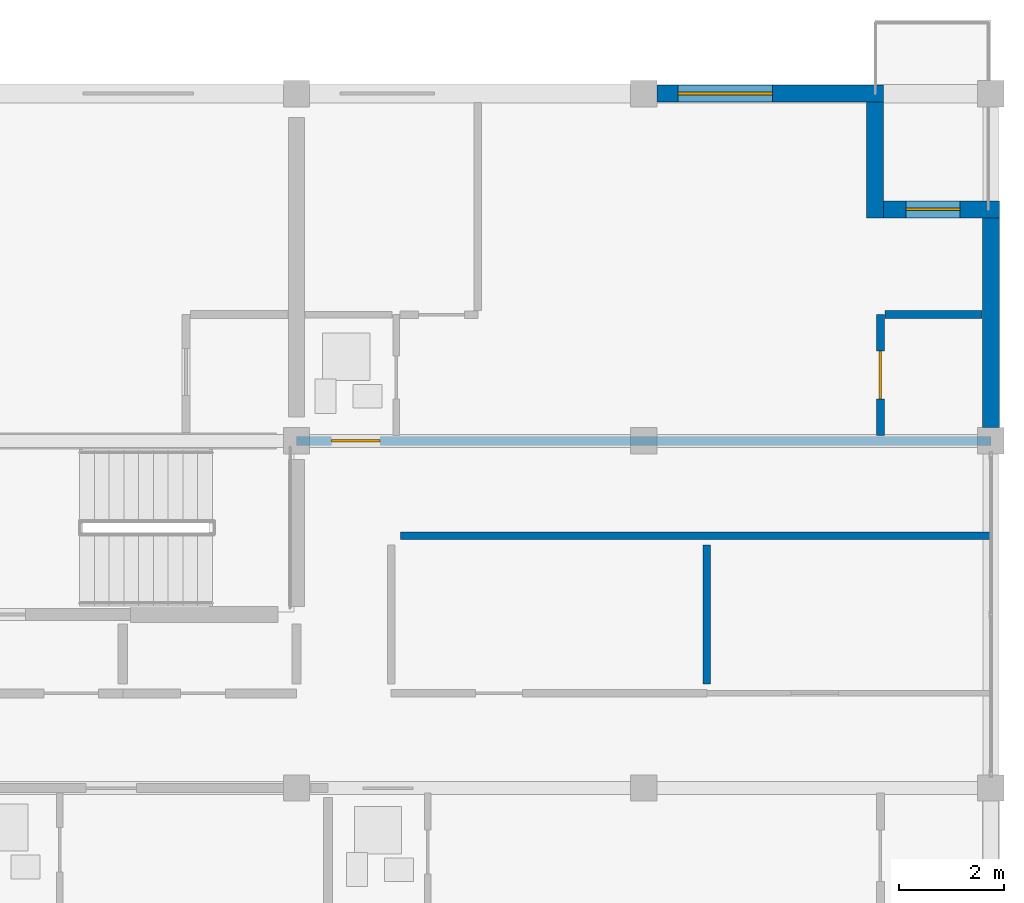
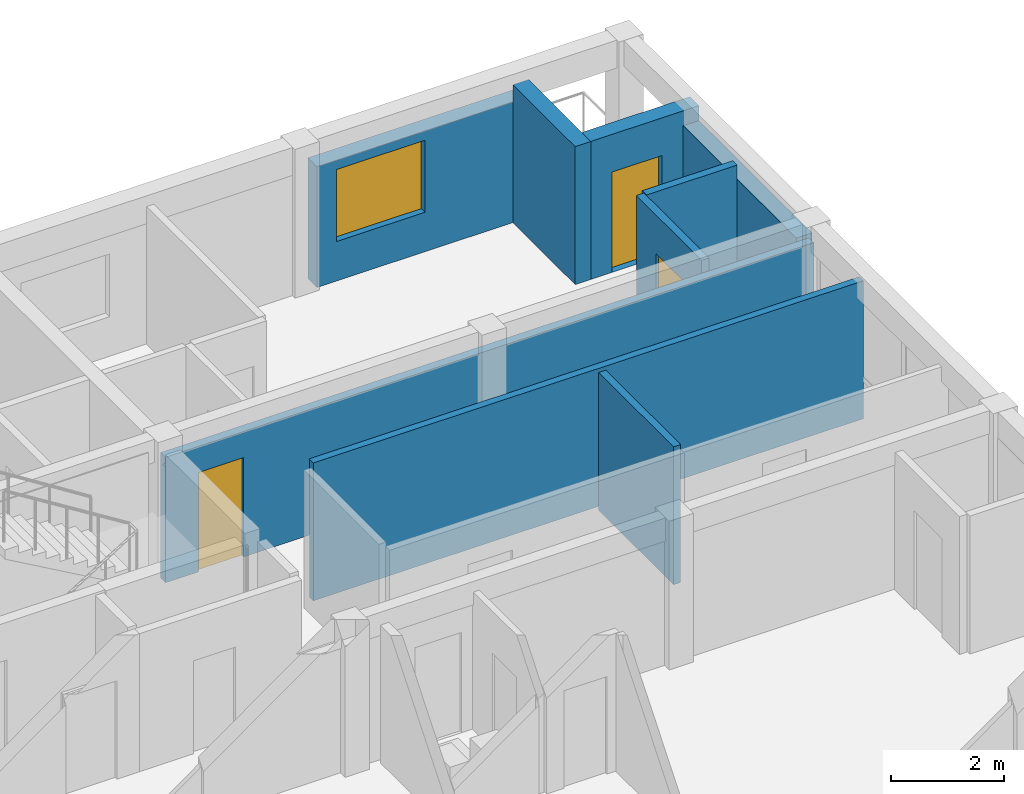
# One storey, part 41 of 53: 9 walls, 3 doors, 1 window, 4 openings.
"""IFC4 building model written with IfcOpenShell, lengths in metres."""

from ifc_helpers import new_model, si_unit, direction, frame, frame_2d, origin, place, context, subcontext, project, spatial, rectangle, extrude, material, layer, layer_set, type_object, element, fill, save


model = new_model("IFC4")

# Units and contexts
model_context = context("Model", 3, precision=1e-05, world=origin(), true_north=direction((0.0, 1.0)))
body_context = subcontext(model_context, "Body", "Model", "MODEL_VIEW")
ifc_project = project(units=[si_unit("LENGTHUNIT", "METRE"), si_unit("AREAUNIT", "SQUARE_METRE"), si_unit("VOLUMEUNIT", "CUBIC_METRE"), si_unit("PLANEANGLEUNIT", "RADIAN"), si_unit("MASSUNIT", "GRAM", prefix="KILO")], contexts=[model_context])

# Site, building, storey
site_placement = place(None, origin())
site = spatial("IfcSite", under=ifc_project, at=site_placement, CompositionType="ELEMENT")
building_placement = place(site_placement, origin())
building = spatial("IfcBuilding", under=site, at=building_placement, Name="Kernevlak Ridge Housing Community", CompositionType="ELEMENT")
storey_placement = place(building_placement, frame((0.0, 0.0, 24.39990234375)))
storey = spatial("IfcBuildingStorey", under=building, at=storey_placement, Name="L07", CompositionType="ELEMENT", Elevation=24.39990234375)

# Wall, opening, window
ifc_material_1 = material(Name="Concrete block masonry M10", Category="masonry")
ifc_layer_1 = layer(ifc_material_1, 0.320068359375, Name="Concrete block masonry M10")
ifc_layer_set_1 = layer_set([ifc_layer_1], Name="Concrete block masonry M10")
wall_type_1 = type_object("IfcWallType", Name="EW-02", PredefinedType="STANDARD", material=ifc_layer_set_1)
wall_1_placement = place(storey_placement, frame((146.050048828125, 102.39990234375, 0.0), z_axis=(0.0, 0.0, 1.0), x_axis=(1.0, 0.0, 0.0)))
wall_1 = element("IfcWall", 1, at=wall_1_placement, inside=storey, type_object=wall_type_1, Name="Exterior wall EW-02 L07 412", PredefinedType="STANDARD", context=body_context, shape_type="SweptSolid", body=[
    extrude(rectangle(XDim=4.31005859375, YDim=0.320068359375, at=frame_2d((2.155029296875, 0.0))), origin(), (0.0, 0.0, 1.0), 2.60009765625),
])
opening_1_placement = place(wall_1_placement, frame((0.39990234375, 0.0, 0.85009765625)))
opening_1 = element("IfcOpeningElement", 2, at=opening_1_placement, cuts=wall_1, Name="Opening WT-04", PredefinedType="OPENING", context=body_context, shape_type="SweptSolid", body=[
    extrude(rectangle(XDim=1.800048828125, YDim=1.550048828125, at=frame_2d((0.89990234375, 0.77490234375))), frame((0.0, 0.169921875, 0.0), z_axis=(0.0, -1.0, 0.0), x_axis=(1.0, 0.0, 0.0)), (0.0, 0.0, 1.0), 0.340087890625),
])
ifc_material_2 = material(Name="Aluminium EN AW-6060 anodised and laminated glass", Category="aluminium")
window_type = type_object("IfcWindowType", Name="WT-04", PartitioningType="SINGLE_PANEL", PredefinedType="WINDOW", material=ifc_material_2)
window_placement = place(opening_1_placement, origin())
window = element("IfcWindow", 3, at=window_placement, inside=storey, type_object=window_type, Name="Window WT-04 L07 321", OverallHeight=1.550048828125, OverallWidth=1.800048828125, PartitioningType="SINGLE_PANEL", PredefinedType="WINDOW", context=body_context, shape_type="SweptSolid", body=[
    extrude(rectangle(XDim=1.800048828125, YDim=1.550048828125, at=frame_2d((0.89990234375, 0.77490234375))), frame((0.0, 0.030029296875, 0.0), z_axis=(0.0, -1.0, 0.0), x_axis=(1.0, 0.0, 0.0)), (0.0, 0.0, 1.0), 0.06005859375),
])
fill(opening_1, window)

# Wall
wall_2_placement = place(storey_placement, frame((150.199951171875, 102.239990234375, 0.0), z_axis=(0.0, 0.0, 1.0), x_axis=(0.0, -1.0, 0.0)))
element("IfcWall", 4, at=wall_2_placement, inside=storey, type_object=wall_type_1, Name="Exterior wall EW-02 L07 413", PredefinedType="STANDARD", context=body_context, shape_type="SweptSolid", body=[
    extrude(rectangle(XDim=2.199951171875, YDim=0.320068359375, at=frame_2d((1.10009765625, 0.0))), origin(), (0.0, 0.0, 1.0), 2.97021484375),
])

# Wall, opening, door
wall_3_placement = place(storey_placement, frame((150.360107421875, 100.199951171875, 0.0), z_axis=(0.0, 0.0, 1.0), x_axis=(1.0, 0.0, 0.0)))
wall_3 = element("IfcWall", 5, at=wall_3_placement, inside=storey, type_object=wall_type_1, Name="Exterior wall EW-02 L07 414", PredefinedType="STANDARD", context=body_context, shape_type="SweptSolid", body=[
    extrude(rectangle(XDim=2.199951171875, YDim=0.320068359375, at=frame_2d((1.10009765625, 0.0))), origin(), (0.0, 0.0, 1.0), 2.97021484375),
])
opening_2_placement = place(wall_3_placement, frame((0.429931640625, 0.0, 0.0)))
opening_2 = element("IfcOpeningElement", 6, at=opening_2_placement, cuts=wall_3, Name="Opening D830", PredefinedType="OPENING", context=body_context, shape_type="SweptSolid", body=[
    extrude(rectangle(XDim=1.02001953125, YDim=2.159912109375, at=frame_2d((0.510009765625, 1.080078125))), frame((0.0, 0.169921875, 0.0), z_axis=(0.0, -1.0, 0.0), x_axis=(1.0, 0.0, 0.0)), (0.0, 0.0, 1.0), 0.340087890625),
])
ifc_material_3 = material(Name="Aluminium EN AW-6060 and laminated safety glass", Category="aluminium")
door_type_1 = type_object("IfcDoorType", Name="DT-33", OperationType="NOTDEFINED", PredefinedType="DOOR", material=ifc_material_3)
door_1_placement = place(opening_2_placement, origin())
door_1 = element("IfcDoor", 7, at=door_1_placement, inside=storey, type_object=door_type_1, Name="Flat B0723 corner balcony glazed door D830", OperationType="SINGLE_SWING_RIGHT", OverallHeight=2.159912109375, OverallWidth=1.02001953125, PredefinedType="DOOR", context=body_context, shape_type="SweptSolid", body=[
    extrude(rectangle(XDim=1.02001953125, YDim=2.159912109375, at=frame_2d((0.510009765625, 1.080078125))), frame((0.0, 0.02490234375, 0.0), z_axis=(0.0, -1.0, 0.0), x_axis=(1.0, 0.0, 0.0)), (0.0, 0.0, 1.0), 0.050048828125),
])
fill(opening_2, door_1)

# Wall
wall_4_placement = place(storey_placement, frame((152.39990234375, 96.050048828125, 0.0), z_axis=(0.0, 0.0, 1.0), x_axis=(0.0, 1.0, 0.0)))
element("IfcWall", 8, at=wall_4_placement, inside=storey, type_object=wall_type_1, Name="Exterior wall EW-02 L07 418", PredefinedType="STANDARD", context=body_context, shape_type="SweptSolid", body=[
    extrude(rectangle(XDim=3.989990234375, YDim=0.320068359375, at=frame_2d((1.9951171875, 0.0))), origin(), (0.0, 0.0, 1.0), 2.650146484375),
])

# Wall, opening, door
ifc_layer_2 = layer(ifc_material_1, 0.175048828125, Name="Concrete block masonry M10")
ifc_layer_set_2 = layer_set([ifc_layer_2], Name="Concrete block masonry M10")
wall_type_2 = type_object("IfcWallType", Name="PW-02", PredefinedType="PARTITIONING", material=ifc_layer_set_2)
wall_5_placement = place(storey_placement, frame((139.199951171875, 95.800048828125, 0.0), z_axis=(0.0, 0.0, 1.0), x_axis=(1.0, 0.0, 0.0)))
wall_5 = element("IfcWall", 9, at=wall_5_placement, inside=storey, type_object=wall_type_2, Name="Interior wall PW-02 WAL-INT-L07-1632", PredefinedType="PARTITIONING", context=body_context, shape_type="SweptSolid", body=[
    extrude(rectangle(XDim=13.199951171875, YDim=0.175048828125, at=frame_2d((6.60009765625, 0.0))), origin(), (0.0, 0.0, 1.0), 2.7001953125),
])
opening_3_placement = place(wall_5_placement, frame((0.669921875, 0.0, 0.0)))
opening_3 = element("IfcOpeningElement", 10, at=opening_3_placement, cuts=wall_5, Name="Opening D826", PredefinedType="OPENING", context=body_context, shape_type="SweptSolid", body=[
    extrude(rectangle(XDim=0.919921875, YDim=2.139892578125, at=frame_2d((0.4599609375, 1.06982421875))), frame((0.0, 0.097412109375, 0.0), z_axis=(0.0, -1.0, 0.0), x_axis=(1.0, 0.0, 0.0)), (0.0, 0.0, 1.0), 0.195068359375),
])
ifc_material_4 = material(Name="Hardwood timber solid-core fire leaf", Category="wood")
door_type_2 = type_object("IfcDoorType", Name="DT-20", OperationType="NOTDEFINED", PredefinedType="DOOR", material=ifc_material_4)
door_2_placement = place(opening_3_placement, origin())
door_2 = element("IfcDoor", 11, at=door_2_placement, inside=storey, type_object=door_type_2, Name="Flat B0723 entrance fire door D826", OperationType="SINGLE_SWING_RIGHT", OverallHeight=2.139892578125, OverallWidth=0.919921875, PredefinedType="DOOR", context=body_context, shape_type="SweptSolid", body=[
    extrude(rectangle(XDim=0.919921875, YDim=2.139892578125, at=frame_2d((0.4599609375, 1.06982421875))), frame((0.0, 0.02490234375, 0.0), z_axis=(0.0, -1.0, 0.0), x_axis=(1.0, 0.0, 0.0)), (0.0, 0.0, 1.0), 0.050048828125),
])
fill(opening_3, door_2)

# Walls
ifc_layer_3 = layer(ifc_material_1, 0.14501953125, Name="Concrete block masonry M10")
ifc_layer_set_3 = layer_set([ifc_layer_3], Name="Concrete block masonry M10")
wall_type_3 = type_object("IfcWallType", Name="PW-03", PredefinedType="PARTITIONING", material=ifc_layer_set_3)
wall_6_placement = place(storey_placement, frame((147.0, 91.179931640625, 0.0), z_axis=(0.0, 0.0, 1.0), x_axis=(0.0, 1.0, 0.0)))
element("IfcWall", 12, at=wall_6_placement, inside=storey, type_object=wall_type_3, Name="Interior wall PW-03 WAL-INT-L07-1592", PredefinedType="PARTITIONING", context=body_context, shape_type="SweptSolid", body=[
    extrude(rectangle(XDim=2.64013671875, YDim=0.14501953125, at=frame_2d((1.320068359375, 0.0))), origin(), (0.0, 0.0, 1.0), 2.97021484375),
])
wall_7_placement = place(storey_placement, frame((141.179931640625, 94.0, 0.0), z_axis=(0.0, 0.0, 1.0), x_axis=(1.0, 0.0, 0.0)))
element("IfcWall", 13, at=wall_7_placement, inside=storey, type_object=wall_type_3, Name="Interior wall PW-03 WAL-INT-L07-1593", PredefinedType="PARTITIONING", context=body_context, shape_type="SweptSolid", body=[
    extrude(rectangle(XDim=11.199951171875, YDim=0.14501953125, at=frame_2d((5.60009765625, 0.0))), origin(), (0.0, 0.0, 1.0), 2.97021484375),
])

# Wall, opening, door
ifc_material_5 = material(Name="Gypsum plasterboard EN 520", Category="gypsum")
ifc_layer_4 = layer(ifc_material_5, 0.155029296875, Name="Gypsum plasterboard EN 520")
ifc_layer_set_4 = layer_set([ifc_layer_4], Name="Gypsum plasterboard EN 520")
wall_type_4 = type_object("IfcWallType", Name="PW-05", PredefinedType="PARTITIONING", material=ifc_layer_set_4)
wall_8_placement = place(storey_placement, frame((150.300048828125, 95.8974609375, 0.0), z_axis=(0.0, 0.0, 1.0), x_axis=(0.0, 1.0, 0.0)))
wall_8 = element("IfcWall", 14, at=wall_8_placement, inside=storey, type_object=wall_type_4, Name="Interior wall PW-05 WAL-INT-L07-1635", PredefinedType="PARTITIONING", context=body_context, shape_type="SweptSolid", body=[
    extrude(rectangle(XDim=2.302490234375, YDim=0.155029296875, at=frame_2d((1.1513671875, 0.0))), origin(), (0.0, 0.0, 1.0), 2.97021484375),
])
opening_4_placement = place(wall_8_placement, frame((0.699951171875, 0.0, 0.0)))
opening_4 = element("IfcOpeningElement", 15, at=opening_4_placement, cuts=wall_8, Name="Opening D828", PredefinedType="OPENING", context=body_context, shape_type="SweptSolid", body=[
    extrude(rectangle(XDim=0.909912109375, YDim=2.139892578125, at=frame_2d((0.455078125, 1.06982421875))), frame((0.0, 0.08740234375, 0.0), z_axis=(0.0, -1.0, 0.0), x_axis=(1.0, 0.0, 0.0)), (0.0, 0.0, 1.0), 0.175048828125),
])
ifc_material_6 = material(Name="Hardwood timber leaf", Category="wood")
door_type_3 = type_object("IfcDoorType", Name="DT-31", OperationType="NOTDEFINED", PredefinedType="DOOR", material=ifc_material_6)
door_3_placement = place(opening_4_placement, origin())
door_3 = element("IfcDoor", 16, at=door_3_placement, inside=storey, type_object=door_type_3, Name="Flat B0723 kitchen door D828", OperationType="SINGLE_SWING_RIGHT", OverallHeight=2.139892578125, OverallWidth=0.909912109375, PredefinedType="DOOR", context=body_context, shape_type="SweptSolid", body=[
    extrude(rectangle(XDim=0.909912109375, YDim=2.139892578125, at=frame_2d((0.455078125, 1.06982421875))), frame((0.0, 0.02490234375, 0.0), z_axis=(0.0, -1.0, 0.0), x_axis=(1.0, 0.0, 0.0)), (0.0, 0.0, 1.0), 0.050048828125),
])
fill(opening_4, door_3)

# Wall
wall_9_placement = place(storey_placement, frame((150.387451171875, 98.199951171875, 0.0), z_axis=(0.0, 0.0, 1.0), x_axis=(1.0, 0.0, 0.0)))
element("IfcWall", 17, at=wall_9_placement, inside=storey, type_object=wall_type_4, Name="Interior wall PW-05 WAL-INT-L07-1636", PredefinedType="PARTITIONING", context=body_context, shape_type="SweptSolid", body=[
    extrude(rectangle(XDim=1.842529296875, YDim=0.155029296875, at=frame_2d((0.92138671875, 0.0))), origin(), (0.0, 0.0, 1.0), 2.97021484375),
])

save(model, "model.ifc")
